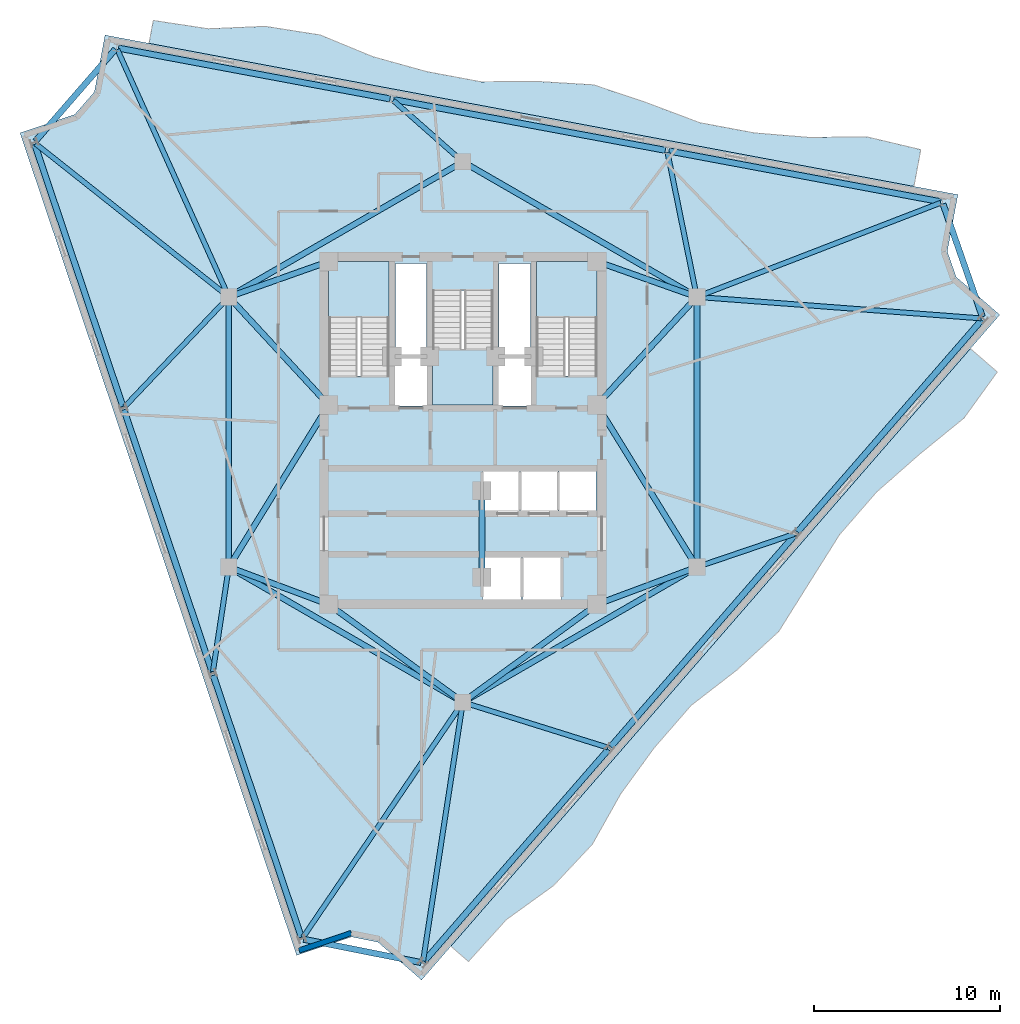
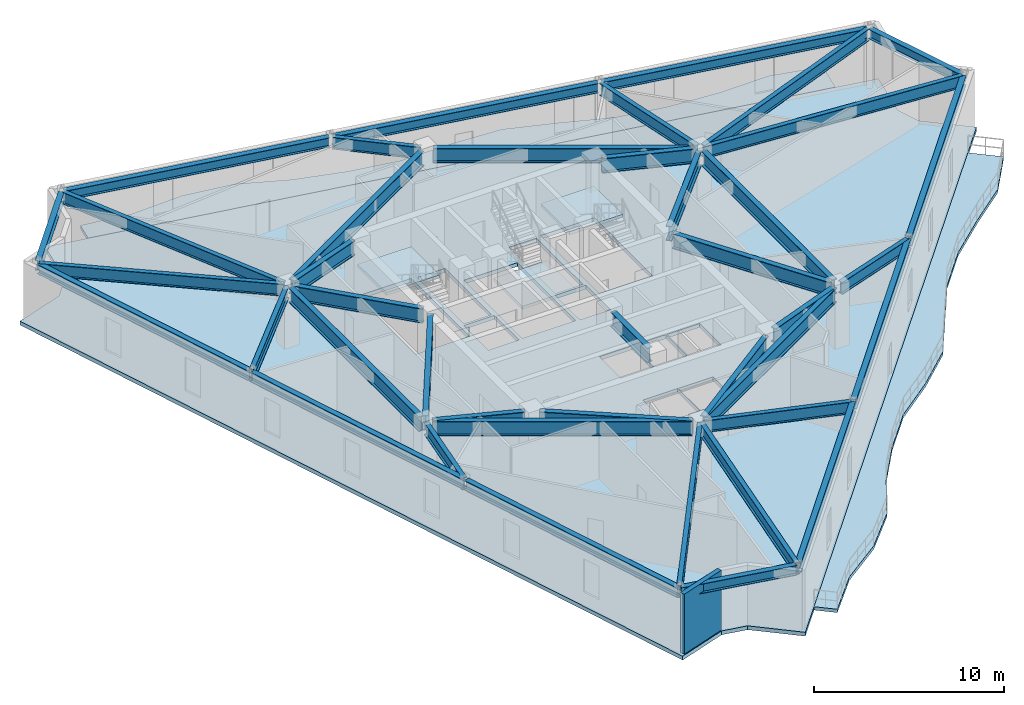
# One storey, part 3 of 10: 41 beams, 6 slabs, 1 wall, 3 elements without a shape of their own.
"""IFC4 building model written with IfcOpenShell, lengths in metres."""

from ifc_helpers import new_model, si_unit, direction, frame, frame_2d, origin, origin_2d, place, context, subcontext, project, spatial, polyline, rectangle, i_section, outline, extrude, material, layer, layer_set, material_profile, profile_set, type_object, element, aggregate, save


model = new_model("IFC4")

# Units and contexts
model_context = context("Model", 3, precision=1e-05, world=origin(), true_north=direction((0.0, 1.0)))
body_context = subcontext(model_context, "Body", "Model", "MODEL_VIEW")
ifc_project = project(units=[si_unit("LENGTHUNIT", "METRE"), si_unit("AREAUNIT", "SQUARE_METRE"), si_unit("VOLUMEUNIT", "CUBIC_METRE"), si_unit("PLANEANGLEUNIT", "RADIAN"), si_unit("MASSUNIT", "GRAM", prefix="KILO")], contexts=[model_context])

# Site, building, storey
site_placement = place(None, origin())
site = spatial("IfcSite", under=ifc_project, at=site_placement, CompositionType="ELEMENT")
building_placement = place(site_placement, origin())
building = spatial("IfcBuilding", under=site, at=building_placement, Name="Apsidion Concourse Tower", CompositionType="ELEMENT")
storey_placement = place(building_placement, frame((0.0, 0.0, 286.0)))
storey = spatial("IfcBuildingStorey", under=building, at=storey_placement, Name="L67", CompositionType="ELEMENT", Elevation=286.0)

# Beams
ifc_material_1 = material(Name="Structural steel ASTM A992 Grade 50", Category="steel")
ifc_material_profile_1 = material_profile(ifc_material_1, i_section(OverallWidth=0.31005859375, OverallDepth=0.931884765625, WebThickness=0.02099609375, FlangeThickness=0.034423828125, at=origin_2d()), Name="W36X210")
ifc_profile_set_1 = profile_set([ifc_material_profile_1], Name="Structural steel ASTM A992 Grade 50")
beam_type_1 = type_object("IfcBeamType", Name="BM-G-W36", PredefinedType="USERDEFINED", material=ifc_profile_set_1)
beam_1_placement = place(storey_placement, frame((-12.185302734375, -7.389892578125, 3.384033203125), z_axis=(0.936913021145, -0.349562570664, 0.0), x_axis=(0.349562570664, 0.936913021145, 0.0)))
element("IfcBeam", 1, at=beam_1_placement, inside=storey, type_object=beam_type_1, Name="L67 Core Coupling Girder IC1-SC1", ObjectType="GIRDER", PredefinedType="USERDEFINED", context=body_context, shape_type="SweptSolid", body=[
    extrude(i_section(OverallWidth=0.31005859375, OverallDepth=0.931884765625, WebThickness=0.02099609375, FlangeThickness=0.034423828125, at=origin_2d()), origin(), (0.0, 0.0, 1.0), 4.921142578125),
])
beam_2_placement = place(storey_placement, frame((-12.35009765625, -6.909423828125, 3.384033203125), z_axis=(0.524524009763, 0.851395656074, 0.0), x_axis=(-0.851395656074, 0.524524009763, 0.0)))
element("IfcBeam", 2, at=beam_2_placement, inside=storey, type_object=beam_type_1, Name="L67 Core Coupling Girder IC1-SC6", ObjectType="GIRDER", PredefinedType="USERDEFINED", context=body_context, shape_type="SweptSolid", body=[
    extrude(i_section(OverallWidth=0.31005859375, OverallDepth=0.931884765625, WebThickness=0.02099609375, FlangeThickness=0.034423828125, at=origin_2d()), origin(), (0.0, 0.0, 1.0), 9.41845703125),
])
beam_3_placement = place(storey_placement, frame((12.185302734375, -7.389892578125, 3.384033203125), z_axis=(-0.936913021145, -0.349562570664, 0.0), x_axis=(0.349562570664, -0.936913021145, 0.0)))
element("IfcBeam", 3, at=beam_3_placement, inside=storey, type_object=beam_type_1, Name="L67 Core Coupling Girder IC2-SC2", ObjectType="GIRDER", PredefinedType="USERDEFINED", context=body_context, shape_type="SweptSolid", body=[
    extrude(i_section(OverallWidth=0.31005859375, OverallDepth=0.931884765625, WebThickness=0.02099609375, FlangeThickness=0.034423828125, at=origin_2d()), origin(), (0.0, 0.0, 1.0), 4.921142578125),
])
beam_4_placement = place(storey_placement, frame((12.35009765625, -6.909423828125, 3.384033203125), z_axis=(-0.524524009763, 0.851395656074, 0.0), x_axis=(-0.851395656074, -0.524524009763, 0.0)))
element("IfcBeam", 4, at=beam_4_placement, inside=storey, type_object=beam_type_1, Name="L67 Core Coupling Girder IC2-SC3", ObjectType="GIRDER", PredefinedType="USERDEFINED", context=body_context, shape_type="SweptSolid", body=[
    extrude(i_section(OverallWidth=0.31005859375, OverallDepth=0.931884765625, WebThickness=0.02099609375, FlangeThickness=0.034423828125, at=origin_2d()), origin(), (0.0, 0.0, 1.0), 9.41845703125),
])
beam_5_placement = place(storey_placement, frame((12.28857421875, 6.956298828125, 3.384033203125), z_axis=(-0.678712876106, -0.73440372535, 0.0), x_axis=(0.73440372535, -0.678712876106, 0.0)))
element("IfcBeam", 5, at=beam_5_placement, inside=storey, type_object=beam_type_1, Name="L67 Core Coupling Girder IC3-SC3", ObjectType="GIRDER", PredefinedType="USERDEFINED", context=body_context, shape_type="SweptSolid", body=[
    extrude(i_section(OverallWidth=0.31005859375, OverallDepth=0.931884765625, WebThickness=0.02099609375, FlangeThickness=0.034423828125, at=origin_2d()), origin(), (0.0, 0.0, 1.0), 7.097412109375),
])
beam_6_placement = place(storey_placement, frame((12.18310546875, 7.383544921875, 3.384033203125), z_axis=(-0.942533844539, 0.334110688094, 0.0), x_axis=(-0.334110688094, -0.942533844539, 0.0)))
element("IfcBeam", 6, at=beam_6_placement, inside=storey, type_object=beam_type_1, Name="L67 Core Coupling Girder IC3-SC4", ObjectType="GIRDER", PredefinedType="USERDEFINED", context=body_context, shape_type="SweptSolid", body=[
    extrude(i_section(OverallWidth=0.31005859375, OverallDepth=0.931884765625, WebThickness=0.02099609375, FlangeThickness=0.034423828125, at=origin_2d()), origin(), (0.0, 0.0, 1.0), 4.886962890625),
])
beam_7_placement = place(storey_placement, frame((-12.28857421875, 6.956298828125, 3.384033203125), z_axis=(0.678712876106, -0.73440372535, 0.0), x_axis=(0.73440372535, 0.678712876106, 0.0)))
element("IfcBeam", 7, at=beam_7_placement, inside=storey, type_object=beam_type_1, Name="L67 Core Coupling Girder IC5-SC6", ObjectType="GIRDER", PredefinedType="USERDEFINED", context=body_context, shape_type="SweptSolid", body=[
    extrude(i_section(OverallWidth=0.31005859375, OverallDepth=0.931884765625, WebThickness=0.02099609375, FlangeThickness=0.034423828125, at=origin_2d()), origin(), (0.0, 0.0, 1.0), 7.097412109375),
])
beam_8_placement = place(storey_placement, frame((-12.18310546875, 7.383544921875, 3.384033203125), z_axis=(0.942533844539, 0.334110688094, 0.0), x_axis=(-0.334110688094, 0.942533844539, 0.0)))
element("IfcBeam", 8, at=beam_8_placement, inside=storey, type_object=beam_type_1, Name="L67 Core Coupling Girder IC5-SC5", ObjectType="GIRDER", PredefinedType="USERDEFINED", context=body_context, shape_type="SweptSolid", body=[
    extrude(i_section(OverallWidth=0.31005859375, OverallDepth=0.931884765625, WebThickness=0.02099609375, FlangeThickness=0.034423828125, at=origin_2d()), origin(), (0.0, 0.0, 1.0), 4.886962890625),
])
for number, where, z_axis, x_axis, name in (
    (9, (-0.3232421875, -14.264404296875, 3.384033203125), (-0.807993498909, 0.589191399905, 0.0), (-0.589191399905, -0.807993498909, 0.0), "L67 Core Coupling Girder IC6-SC1"),
    (10, (0.3232421875, -14.264404296875, 3.384033203125), (0.807993498909, 0.589191399905, 0.0), (-0.589191399905, 0.807993498909, 0.0), "L67 Core Coupling Girder IC6-SC2"),
):
    element("IfcBeam", number, at=place(storey_placement, frame(where, z_axis=z_axis, x_axis=x_axis)), inside=storey, type_object=beam_type_1, Name=name, ObjectType="GIRDER", PredefinedType="USERDEFINED", context=body_context, shape_type="SweptSolid", body=[
        extrude(i_section(OverallWidth=0.31005859375, OverallDepth=0.931884765625, WebThickness=0.02099609375, FlangeThickness=0.034423828125, at=origin_2d()), origin(), (0.0, 0.0, 1.0), 8.11083984375),
    ])
beam_9_placement = place(storey_placement, frame((-12.56005859375, -6.85009765625, 3.384033203125), z_axis=(0.0, 1.0, 0.0), x_axis=(-1.0, 0.0, 0.0)))
element("IfcBeam", 11, at=beam_9_placement, inside=storey, type_object=beam_type_1, Name="L67 Core Coupling Girder IC1-IC5", ObjectType="GIRDER", PredefinedType="USERDEFINED", context=body_context, shape_type="SweptSolid", body=[
    extrude(i_section(OverallWidth=0.31005859375, OverallDepth=0.931884765625, WebThickness=0.02099609375, FlangeThickness=0.034423828125, at=origin_2d()), origin(), (0.0, 0.0, 1.0), 13.7001953125),
])
for number, where, z_axis, x_axis, name in (
    (12, (-12.213623046875, 7.449951171875, 3.384033203125), (0.866070471464, 0.499921932364, 0.0), (-0.499921932364, 0.866070471464, 0.0), "L67 Core Coupling Girder IC5-IC4"),
    (13, (0.346435546875, 14.300048828125, 3.384033203125), (0.866070471464, -0.499921932364, 0.0), (0.499921932364, 0.866070471464, 0.0), "L67 Core Coupling Girder IC4-IC3"),
):
    element("IfcBeam", number, at=place(storey_placement, frame(where, z_axis=z_axis, x_axis=x_axis)), inside=storey, type_object=beam_type_1, Name=name, ObjectType="GIRDER", PredefinedType="USERDEFINED", context=body_context, shape_type="SweptSolid", body=[
        extrude(i_section(OverallWidth=0.31005859375, OverallDepth=0.931884765625, WebThickness=0.02099609375, FlangeThickness=0.034423828125, at=origin_2d()), origin(), (0.0, 0.0, 1.0), 13.702392578125),
    ])
beam_10_placement = place(storey_placement, frame((12.56005859375, 6.85009765625, 3.384033203125), z_axis=(0.0, -1.0, 0.0), x_axis=(1.0, 0.0, 0.0)))
element("IfcBeam", 14, at=beam_10_placement, inside=storey, type_object=beam_type_1, Name="L67 Core Coupling Girder IC3-IC2", ObjectType="GIRDER", PredefinedType="USERDEFINED", context=body_context, shape_type="SweptSolid", body=[
    extrude(i_section(OverallWidth=0.31005859375, OverallDepth=0.931884765625, WebThickness=0.02099609375, FlangeThickness=0.034423828125, at=origin_2d()), origin(), (0.0, 0.0, 1.0), 13.7001953125),
])
for number, where, z_axis, x_axis, name in (
    (15, (12.213623046875, -7.449951171875, 3.384033203125), (-0.866070471464, -0.499921932364, 0.0), (0.499921932364, -0.866070471464, 0.0), "L67 Core Coupling Girder IC2-IC6"),
    (16, (-0.346435546875, -14.300048828125, 3.384033203125), (-0.866070471464, 0.499921932364, 0.0), (-0.499921932364, -0.866070471464, 0.0), "L67 Core Coupling Girder IC6-IC1"),
):
    element("IfcBeam", number, at=place(storey_placement, frame(where, z_axis=z_axis, x_axis=x_axis)), inside=storey, type_object=beam_type_1, Name=name, ObjectType="GIRDER", PredefinedType="USERDEFINED", context=body_context, shape_type="SweptSolid", body=[
        extrude(i_section(OverallWidth=0.31005859375, OverallDepth=0.931884765625, WebThickness=0.02099609375, FlangeThickness=0.034423828125, at=origin_2d()), origin(), (0.0, 0.0, 1.0), 13.702392578125),
    ])
beam_11_placement = place(storey_placement, frame((1.02490234375, -3.550048828125, 3.384033203125), z_axis=(0.0, -1.0, 0.0), x_axis=(1.0, 0.0, 0.0)))
element("IfcBeam", 17, at=beam_11_placement, inside=storey, type_object=beam_type_1, Name="L67 Core Coupling Girder CC5-CC6", ObjectType="GIRDER", PredefinedType="USERDEFINED", context=body_context, shape_type="SweptSolid", body=[
    extrude(i_section(OverallWidth=0.31005859375, OverallDepth=0.931884765625, WebThickness=0.02099609375, FlangeThickness=0.034423828125, at=origin_2d()), origin(), (0.0, 0.0, 1.0), 3.849853515625),
])
ifc_material_profile_2 = material_profile(ifc_material_1, i_section(OverallWidth=0.324951171875, OverallDepth=0.616943359375, WebThickness=0.013916015625, FlangeThickness=0.021484375, at=origin_2d()), Name="W24X117")
ifc_profile_set_2 = profile_set([ifc_material_profile_2], Name="Structural steel ASTM A992 Grade 50")
beam_type_2 = type_object("IfcBeamType", Name="BM-SP-W24", PredefinedType="SPANDREL", material=ifc_profile_set_2)
for number, where, z_axis, x_axis, name in (
    (18, (-22.97265625, 15.436279296875, 3.54150390625), (0.318681523158, -0.947861850059, 0.0), (0.947861850059, 0.318681523158, 0.0), "L67 Perimeter Spandrel Girder SP-01"),
    (19, (-18.18310546875, 1.191162109375, 3.54150390625), (0.318661757859, -0.94786849514, 0.0), (0.94786849514, 0.318661757859, 0.0), "L67 Perimeter Spandrel Girder SP-02"),
    (20, (-13.393798828125, -13.05419921875, 3.54150390625), (0.318681523158, -0.947861850059, 0.0), (0.947861850059, 0.318681523158, 0.0), "L67 Perimeter Spandrel Girder SP-03"),
):
    element("IfcBeam", number, at=place(storey_placement, frame(where, z_axis=z_axis, x_axis=x_axis)), inside=storey, type_object=beam_type_2, Name=name, PredefinedType="SPANDREL", context=body_context, shape_type="SweptSolid", body=[
        extrude(i_section(OverallWidth=0.324951171875, OverallDepth=0.616943359375, WebThickness=0.013916015625, FlangeThickness=0.021484375, at=origin_2d()), origin(), (0.0, 0.0, 1.0), 14.82861328125),
    ])
beam_12_placement = place(storey_placement, frame((-8.538330078125, -27.223876953125, 3.54150390625), z_axis=(0.980920203242, -0.194410788981, 0.0), x_axis=(0.194410788981, 0.980920203242, 0.0)))
element("IfcBeam", 21, at=beam_12_placement, inside=storey, type_object=beam_type_2, Name="L67 Perimeter Spandrel Girder SP-04", PredefinedType="SPANDREL", context=body_context, shape_type="SweptSolid", body=[
    extrude(i_section(OverallWidth=0.324951171875, OverallDepth=0.616943359375, WebThickness=0.013916015625, FlangeThickness=0.021484375, at=origin_2d()), origin(), (0.0, 0.0, 1.0), 6.415771484375),
])
beam_13_placement = place(storey_placement, frame((-2.081298828125, -28.4150390625, 3.54150390625), z_axis=(0.656066832384, 0.754702796766, 0.0), x_axis=(-0.754702796766, 0.656066832384, 0.0)))
element("IfcBeam", 22, at=beam_13_placement, inside=storey, type_object=beam_type_2, Name="L67 Perimeter Spandrel Girder SP-05", PredefinedType="SPANDREL", context=body_context, shape_type="SweptSolid", body=[
    extrude(i_section(OverallWidth=0.324951171875, OverallDepth=0.616943359375, WebThickness=0.013916015625, FlangeThickness=0.021484375, at=origin_2d()), origin(), (0.0, 0.0, 1.0), 15.07373046875),
])
for number, where, z_axis, x_axis, name in (
    (23, (7.939208984375, -16.8876953125, 3.54150390625), (0.656074851848, 0.754695825332, 0.0), (-0.754695825332, 0.656074851848, 0.0), "L67 Perimeter Spandrel Girder SP-06"),
    (24, (17.959716796875, -5.360595703125, 3.54150390625), (0.656065626683, 0.754703844885, 0.0), (-0.754703844885, 0.656065626683, 0.0), "L67 Perimeter Spandrel Girder SP-07"),
):
    element("IfcBeam", number, at=place(storey_placement, frame(where, z_axis=z_axis, x_axis=x_axis)), inside=storey, type_object=beam_type_2, Name=name, PredefinedType="SPANDREL", context=body_context, shape_type="SweptSolid", body=[
        extrude(i_section(OverallWidth=0.324951171875, OverallDepth=0.616943359375, WebThickness=0.013916015625, FlangeThickness=0.021484375, at=origin_2d()), origin(), (0.0, 0.0, 1.0), 15.073486328125),
    ])
beam_14_placement = place(storey_placement, frame((27.881591796875, 6.185302734375, 3.54150390625), z_axis=(-0.328995813691, 0.944331379641, 0.0), x_axis=(-0.944331379641, -0.328995813691, 0.0)))
element("IfcBeam", 25, at=beam_14_placement, inside=storey, type_object=beam_type_2, Name="L67 Perimeter Spandrel Girder SP-08", PredefinedType="SPANDREL", context=body_context, shape_type="SweptSolid", body=[
    extrude(i_section(OverallWidth=0.324951171875, OverallDepth=0.616943359375, WebThickness=0.013916015625, FlangeThickness=0.021484375, at=origin_2d()), origin(), (0.0, 0.0, 1.0), 6.416015625),
])
beam_15_placement = place(storey_placement, frame((25.639404296875, 12.35693359375, 3.54150390625), z_axis=(-0.982990339522, 0.183657268861, 0.0), x_axis=(-0.183657268861, -0.982990339522, 0.0)))
element("IfcBeam", 26, at=beam_15_placement, inside=storey, type_object=beam_type_2, Name="L67 Perimeter Spandrel Girder SP-09", PredefinedType="SPANDREL", context=body_context, shape_type="SweptSolid", body=[
    extrude(i_section(OverallWidth=0.324951171875, OverallDepth=0.616943359375, WebThickness=0.013916015625, FlangeThickness=0.021484375, at=origin_2d()), origin(), (0.0, 0.0, 1.0), 14.82861328125),
])
for number, where, z_axis, x_axis, name in (
    (27, (10.866455078125, 15.1171875, 3.54150390625), (-0.982990894844, 0.183654296586, 0.0), (-0.183654296586, -0.982990894844, 0.0), "L67 Perimeter Spandrel Girder SP-10"),
    (28, (-3.90673828125, 17.877197265625, 3.54150390625), (-0.982990894844, 0.183654296586, 0.0), (-0.183654296586, -0.982990894844, 0.0), "L67 Perimeter Spandrel Girder SP-11"),
):
    element("IfcBeam", number, at=place(storey_placement, frame(where, z_axis=z_axis, x_axis=x_axis)), inside=storey, type_object=beam_type_2, Name=name, PredefinedType="SPANDREL", context=body_context, shape_type="SweptSolid", body=[
        extrude(i_section(OverallWidth=0.324951171875, OverallDepth=0.616943359375, WebThickness=0.013916015625, FlangeThickness=0.021484375, at=origin_2d()), origin(), (0.0, 0.0, 1.0), 14.828857421875),
    ])
beam_16_placement = place(storey_placement, frame((-18.647216796875, 20.543701171875, 3.54150390625), z_axis=(-0.656065057343, -0.754704339814, 0.0), x_axis=(0.754704339814, -0.656065057343, 0.0)))
element("IfcBeam", 29, at=beam_16_placement, inside=storey, type_object=beam_type_2, Name="L67 Perimeter Spandrel Girder SP-12", PredefinedType="SPANDREL", context=body_context, shape_type="SweptSolid", body=[
    extrude(i_section(OverallWidth=0.324951171875, OverallDepth=0.616943359375, WebThickness=0.013916015625, FlangeThickness=0.021484375, at=origin_2d()), origin(), (0.0, 0.0, 1.0), 6.541748046875),
])
ifc_material_profile_3 = material_profile(ifc_material_1, i_section(OverallWidth=0.26806640625, OverallDepth=0.77001953125, WebThickness=0.015625, FlangeThickness=0.025390625, at=origin_2d()), Name="W30X132")
ifc_profile_set_3 = profile_set([ifc_material_profile_3], Name="Structural steel ASTM A992 Grade 50")
beam_type_3 = type_object("IfcBeamType", Name="BM-SP-W30", PredefinedType="SPANDREL", material=ifc_profile_set_3)
beam_17_placement = place(storey_placement, frame((-12.732421875, 7.38671875, 3.465087890625), z_axis=(-0.783584000329, 0.621285855648, 0.0), x_axis=(-0.621285855648, -0.783584000329, 0.0)))
element("IfcBeam", 30, at=beam_17_placement, inside=storey, type_object=beam_type_3, Name="L67 Radial Floor Girder RAD-01", PredefinedType="SPANDREL", context=body_context, shape_type="SweptSolid", body=[
    extrude(i_section(OverallWidth=0.26806640625, OverallDepth=0.77001953125, WebThickness=0.015625, FlangeThickness=0.025390625, at=origin_2d()), origin(), (0.0, 0.0, 1.0), 13.009033203125),
])
beam_18_placement = place(storey_placement, frame((-12.71142578125, 7.09033203125, 3.465087890625), z_axis=(-0.688064364837, -0.72564966054, 0.0), x_axis=(0.72564966054, -0.688064364837, 0.0)))
element("IfcBeam", 31, at=beam_18_placement, inside=storey, type_object=beam_type_3, Name="L67 Radial Floor Girder RAD-02", PredefinedType="SPANDREL", context=body_context, shape_type="SweptSolid", body=[
    extrude(i_section(OverallWidth=0.26806640625, OverallDepth=0.77001953125, WebThickness=0.015625, FlangeThickness=0.025390625, at=origin_2d()), origin(), (0.0, 0.0, 1.0), 7.898681640625),
])
beam_19_placement = place(storey_placement, frame((-12.593017578125, -7.467529296875, 3.465087890625), z_axis=(-0.149944598724, -0.988694400365, 0.0), x_axis=(0.988694400365, -0.149944598724, 0.0)))
element("IfcBeam", 32, at=beam_19_placement, inside=storey, type_object=beam_type_3, Name="L67 Radial Floor Girder RAD-03", PredefinedType="SPANDREL", context=body_context, shape_type="SweptSolid", body=[
    extrude(i_section(OverallWidth=0.26806640625, OverallDepth=0.77001953125, WebThickness=0.015625, FlangeThickness=0.025390625, at=origin_2d()), origin(), (0.0, 0.0, 1.0), 5.45458984375),
])
beam_20_placement = place(storey_placement, frame((-0.123779296875, -14.681884765625, 3.465087890625), z_axis=(-0.56217993865, -0.827014943383, 0.0), x_axis=(0.827014943383, -0.56217993865, 0.0)))
element("IfcBeam", 33, at=beam_20_placement, inside=storey, type_object=beam_type_3, Name="L67 Radial Floor Girder RAD-04", PredefinedType="SPANDREL", context=body_context, shape_type="SweptSolid", body=[
    extrude(i_section(OverallWidth=0.26806640625, OverallDepth=0.77001953125, WebThickness=0.015625, FlangeThickness=0.025390625, at=origin_2d()), origin(), (0.0, 0.0, 1.0), 15.0419921875),
])
beam_21_placement = place(storey_placement, frame((-0.033447265625, -14.717529296875, 3.465087890625), z_axis=(-0.151664637663, -0.988432009641, 0.0), x_axis=(0.988432009641, -0.151664637663, 0.0)))
element("IfcBeam", 34, at=beam_21_placement, inside=storey, type_object=beam_type_3, Name="L67 Radial Floor Girder RAD-05", PredefinedType="SPANDREL", context=body_context, shape_type="SweptSolid", body=[
    extrude(i_section(OverallWidth=0.26806640625, OverallDepth=0.77001953125, WebThickness=0.015625, FlangeThickness=0.025390625, at=origin_2d()), origin(), (0.0, 0.0, 1.0), 13.833984375),
])
beam_22_placement = place(storey_placement, frame((0.2099609375, -14.565673828125, 3.465087890625), z_axis=(0.954387901166, -0.298569479532, 0.0), x_axis=(0.298569479532, 0.954387901166, 0.0)))
element("IfcBeam", 35, at=beam_22_placement, inside=storey, type_object=beam_type_3, Name="L67 Radial Floor Girder RAD-06", PredefinedType="SPANDREL", context=body_context, shape_type="SweptSolid", body=[
    extrude(i_section(OverallWidth=0.26806640625, OverallDepth=0.77001953125, WebThickness=0.015625, FlangeThickness=0.025390625, at=origin_2d()), origin(), (0.0, 0.0, 1.0), 7.93017578125),
])
beam_23_placement = place(storey_placement, frame((12.768310546875, -7.17919921875, 3.465087890625), z_axis=(0.946764063089, 0.321928266612, 0.0), x_axis=(-0.321928266612, 0.946764063089, 0.0)))
element("IfcBeam", 36, at=beam_23_placement, inside=storey, type_object=beam_type_3, Name="L67 Radial Floor Girder RAD-07", PredefinedType="SPANDREL", context=body_context, shape_type="SweptSolid", body=[
    extrude(i_section(OverallWidth=0.26806640625, OverallDepth=0.77001953125, WebThickness=0.015625, FlangeThickness=0.025390625, at=origin_2d()), origin(), (0.0, 0.0, 1.0), 5.31396484375),
])
beam_24_placement = place(storey_placement, frame((12.779296875, 7.2333984375, 3.465087890625), z_axis=(0.997162813541, -0.075274984495, 0.0), x_axis=(0.075274984495, 0.997162813541, 0.0)))
element("IfcBeam", 37, at=beam_24_placement, inside=storey, type_object=beam_type_3, Name="L67 Radial Floor Girder RAD-08", PredefinedType="SPANDREL", context=body_context, shape_type="SweptSolid", body=[
    extrude(i_section(OverallWidth=0.26806640625, OverallDepth=0.77001953125, WebThickness=0.015625, FlangeThickness=0.025390625, at=origin_2d()), origin(), (0.0, 0.0, 1.0), 15.078125),
])
beam_25_placement = place(storey_placement, frame((12.76513671875, 7.3291015625, 3.465087890625), z_axis=(0.932864861943, 0.360226525053, 0.0), x_axis=(-0.360226525053, 0.932864861943, 0.0)))
element("IfcBeam", 38, at=beam_25_placement, inside=storey, type_object=beam_type_3, Name="L67 Radial Floor Girder RAD-09", PredefinedType="SPANDREL", context=body_context, shape_type="SweptSolid", body=[
    extrude(i_section(OverallWidth=0.26806640625, OverallDepth=0.77001953125, WebThickness=0.015625, FlangeThickness=0.025390625, at=origin_2d()), origin(), (0.0, 0.0, 1.0), 13.806396484375),
])
beam_26_placement = place(storey_placement, frame((12.51611328125, 7.465576171875, 3.465087890625), z_axis=(-0.199174271345, 0.97996408589, 0.0), x_axis=(-0.97996408589, -0.199174271345, 0.0)))
element("IfcBeam", 39, at=beam_26_placement, inside=storey, type_object=beam_type_3, Name="L67 Radial Floor Girder RAD-10", PredefinedType="SPANDREL", context=body_context, shape_type="SweptSolid", body=[
    extrude(i_section(OverallWidth=0.26806640625, OverallDepth=0.77001953125, WebThickness=0.015625, FlangeThickness=0.025390625, at=origin_2d()), origin(), (0.0, 0.0, 1.0), 7.689208984375),
])
beam_27_placement = place(storey_placement, frame((-0.1650390625, 14.6455078125, 3.465087890625), z_axis=(-0.749977100091, 0.661463792917, 0.0), x_axis=(-0.661463792917, -0.749977100091, 0.0)))
element("IfcBeam", 40, at=beam_27_placement, inside=storey, type_object=beam_type_3, Name="L67 Radial Floor Girder RAD-11", PredefinedType="SPANDREL", context=body_context, shape_type="SweptSolid", body=[
    extrude(i_section(OverallWidth=0.26806640625, OverallDepth=0.77001953125, WebThickness=0.015625, FlangeThickness=0.025390625, at=origin_2d()), origin(), (0.0, 0.0, 1.0), 4.758056640625),
])
beam_28_placement = place(storey_placement, frame((-12.650390625, 7.45068359375, 3.465087890625), z_axis=(-0.410678909967, 0.911780035375, 0.0), x_axis=(-0.911780035375, -0.410678909967, 0.0)))
element("IfcBeam", 41, at=beam_28_placement, inside=storey, type_object=beam_type_3, Name="L67 Radial Floor Girder RAD-12", PredefinedType="SPANDREL", context=body_context, shape_type="SweptSolid", body=[
    extrude(i_section(OverallWidth=0.26806640625, OverallDepth=0.77001953125, WebThickness=0.015625, FlangeThickness=0.025390625, at=origin_2d()), origin(), (0.0, 0.0, 1.0), 14.342529296875),
])

# Slabs
ifc_material_2 = material(Name="Concrete C50/60", Category="concrete")
ifc_layer_1 = layer(ifc_material_2, 0.219970703125)
ifc_layer_set_1 = layer_set([ifc_layer_1], Name="Concrete C50/60")
slab_type_1 = type_object("IfcSlabType", Name="SL-BAL-220", PredefinedType="FLOOR", material=ifc_layer_set_1)
slab_1_placement = place(storey_placement, frame((0.0, 0.0, -0.219970703125)))
element("IfcSlab", 42, at=slab_1_placement, inside=storey, type_object=slab_type_1, Name="L67 Face 2 Rippling Balcony Slab", PredefinedType="FLOOR", context=body_context, shape_type="SweptSolid", body=[
    extrude(outline(polyline([(-0.6416015625, -27.59716796875), (1.35009765625, -25.30615234375), (3.341552734375, -23.01513671875), (5.3330078125, -20.724365234375), (7.324462890625, -18.433349609375), (9.31591796875, -16.142333984375), (11.307373046875, -13.8515625), (13.298828125, -11.560546875), (15.290283203125, -9.26953125), (17.281982421875, -6.978759765625), (19.273193359375, -4.687744140625), (21.264892578125, -2.396728515625), (23.25634765625, -0.10595703125), (25.247802734375, 2.18505859375), (27.2392578125, 4.47607421875), (28.681884765625, 3.2216796875), (26.897216796875, 0.751220703125), (24.5078125, -1.19384765625), (22.208251953125, -3.216796875), (20.216796875, -5.5078125), (18.581298828125, -8.108154296875), (16.94775390625, -10.710205078125), (14.69970703125, -12.7783203125), (12.250732421875, -14.671630859375), (10.25927734375, -16.96240234375), (8.466796875, -19.426513671875), (6.94775390625, -22.1279296875), (4.86767578125, -24.341796875), (2.33837890625, -26.165283203125), (0.302001953125, -28.417236328125), (-0.6416015625, -27.59716796875)])), origin(), (0.0, 0.0, 1.0), 0.219970703125),
])
slab_2_placement = place(storey_placement, frame((0.0, 0.0, -0.219970703125)))
element("IfcSlab", 43, at=slab_2_placement, inside=storey, type_object=slab_type_1, Name="L67 Face 3 Rippling Balcony Slab", PredefinedType="FLOOR", context=body_context, shape_type="SweptSolid", body=[
    extrude(outline(polyline([(24.208251953125, 13.178955078125), (21.276123046875, 13.7275390625), (18.343994140625, 14.27587890625), (15.41162109375, 14.824462890625), (12.4794921875, 15.373046875), (9.54736328125, 15.921630859375), (6.615234375, 16.47021484375), (3.68310546875, 17.018798828125), (0.750732421875, 17.567138671875), (-2.181396484375, 18.11572265625), (-5.113525390625, 18.664306640625), (-8.045654296875, 19.212890625), (-10.977783203125, 19.761474609375), (-13.91015625, 20.309814453125), (-16.84228515625, 20.8583984375), (-16.6123046875, 22.087158203125), (-13.660888671875, 21.64111328125), (-10.601806640625, 21.771484375), (-7.65380859375, 21.30712890625), (-4.83642578125, 20.1455078125), (-1.951416015625, 19.344482421875), (0.980712890625, 18.7958984375), (4.018798828125, 18.81396484375), (7.01953125, 18.632080078125), (9.87451171875, 17.669921875), (12.70947265625, 16.601806640625), (15.6416015625, 16.05322265625), (18.630615234375, 15.80810546875), (21.671875, 15.843017578125), (24.577880859375, 15.154296875), (24.208251953125, 13.178955078125)])), origin(), (0.0, 0.0, 1.0), 0.219970703125),
])
ifc_layer_2 = layer(ifc_material_2, 0.25)
ifc_layer_set_2 = layer_set([ifc_layer_2], Name="Concrete C50/60")
slab_type_2 = type_object("IfcSlabType", Name="SL-FLR-250", PredefinedType="FLOOR", material=ifc_layer_set_2)
slab_3_placement = place(storey_placement, frame((0.0, 0.0, -0.25)))
element("IfcSlab", 44, at=slab_3_placement, inside=storey, type_object=slab_type_2, Name="L67 Structural Floor Slab", PredefinedType="FLOOR", context=body_context, shape_type="SweptSolid", body=[
    extrude(outline(polyline([(-19.201416015625, 21.2998046875), (-19.771484375, 18.251220703125), (-20.825439453125, 17.0390625), (-23.764892578125, 16.050048828125), (-8.916015625, -28.08154296875), (-5.976806640625, -27.092529296875), (-4.556640625, -27.373779296875), (-2.216064453125, -29.408447265625), (28.813720703125, 6.287353515625), (26.47314453125, 8.322021484375), (25.9970703125, 9.689208984375), (26.5673828125, 12.737548828125), (-19.201416015625, 21.2998046875)]), holes=[polyline([(-3.949951171875, 3.0), (-3.949951171875, 9.14990234375), (-7.199951171875, 9.14990234375), (-7.199951171875, 3.0), (-3.949951171875, 3.0)]), polyline([(7.199951171875, 3.0), (7.199951171875, 9.14990234375), (3.949951171875, 9.14990234375), (3.949951171875, 3.0), (7.199951171875, 3.0)]), polyline([(-1.625, 7.60009765625), (-1.625, 1.449951171875), (1.625, 1.449951171875), (1.625, 7.60009765625), (-1.625, 7.60009765625)]), polyline([(1.054931640625, -4.300048828125), (3.044921875, -4.300048828125), (3.044921875, -2.050048828125), (1.054931640625, -2.050048828125), (1.054931640625, -4.300048828125)]), polyline([(3.10498046875, -4.300048828125), (5.094970703125, -4.300048828125), (5.094970703125, -2.050048828125), (3.10498046875, -2.050048828125), (3.10498046875, -4.300048828125)]), polyline([(5.155029296875, -4.300048828125), (7.14501953125, -4.300048828125), (7.14501953125, -2.050048828125), (5.155029296875, -2.050048828125), (5.155029296875, -4.300048828125)]), polyline([(1.044921875, -9.0), (3.155029296875, -9.0), (3.155029296875, -6.64990234375), (1.044921875, -6.64990234375), (1.044921875, -9.0)]), polyline([(3.195068359375, -9.0), (5.304931640625, -9.0), (5.304931640625, -6.64990234375), (3.195068359375, -6.64990234375), (3.195068359375, -9.0)]), polyline([(-3.7099609375, 1.39990234375), (-1.85009765625, 1.39990234375), (-1.85009765625, 4.0), (-3.7099609375, 4.0), (-3.7099609375, 1.39990234375)]), polyline([(1.85009765625, 1.39990234375), (3.7099609375, 1.39990234375), (3.7099609375, 4.0), (1.85009765625, 4.0), (1.85009765625, 1.39990234375)]), polyline([(-3.6201171875, 4.14990234375), (-1.93994140625, 4.14990234375), (-1.93994140625, 9.050048828125), (-3.6201171875, 9.050048828125), (-3.6201171875, 4.14990234375)]), polyline([(1.93994140625, 4.14990234375), (3.6201171875, 4.14990234375), (3.6201171875, 9.050048828125), (1.93994140625, 9.050048828125), (1.93994140625, 4.14990234375)])]), origin(), (0.0, 0.0, 1.0), 0.25),
])

# Stair, slab
ifc_material_3 = material(Name="Precast concrete C40/50", Category="concrete")
stair_type = type_object("IfcStairType", Name="ST-DL-1550", PredefinedType="HALF_TURN_STAIR", material=ifc_material_3)
stair_1_placement = place(storey_placement, origin())
stair_1 = element("IfcStair", 45, at=stair_1_placement, inside=storey, type_object=stair_type, Name="L67 Protected Core Exit Stair ST1", PredefinedType="HALF_TURN_STAIR")
ifc_layer_3 = layer(ifc_material_2, 0.199951171875)
ifc_layer_set_3 = layer_set([ifc_layer_3], Name="Concrete C50/60")
slab_type_3 = type_object("IfcSlabType", Name="SL-ST-LAND-200", PredefinedType="LANDING", material=ifc_layer_set_3)
slab_4_placement = place(storey_placement, frame((0.0, 0.0, 1.85009765625)))
slab_4 = element("IfcSlab", 46, at=slab_4_placement, type_object=slab_type_3, Name="ST1 landing 1", PredefinedType="LANDING", context=body_context, shape_type="SweptSolid", body=[
    extrude(outline(polyline([(-3.949951171875, 6.135009765625), (-3.949951171875, 9.14990234375), (-7.199951171875, 9.14990234375), (-7.199951171875, 6.135009765625), (-3.949951171875, 6.135009765625)])), origin(), (0.0, 0.0, 1.0), 0.199951171875),
])
aggregate(stair_1, [slab_4])

stair_2_placement = place(storey_placement, origin())
stair_2 = element("IfcStair", 47, at=stair_2_placement, inside=storey, type_object=stair_type, Name="L67 Protected Core Exit Stair ST2", PredefinedType="HALF_TURN_STAIR")
slab_5_placement = place(storey_placement, frame((0.0, 0.0, 1.85009765625)))
slab_5 = element("IfcSlab", 48, at=slab_5_placement, type_object=slab_type_3, Name="ST2 landing 1", PredefinedType="LANDING", context=body_context, shape_type="SweptSolid", body=[
    extrude(outline(polyline([(7.199951171875, 6.135009765625), (7.199951171875, 9.14990234375), (3.949951171875, 9.14990234375), (3.949951171875, 6.135009765625), (7.199951171875, 6.135009765625)])), origin(), (0.0, 0.0, 1.0), 0.199951171875),
])
aggregate(stair_2, [slab_5])

stair_3_placement = place(storey_placement, origin())
stair_3 = element("IfcStair", 49, at=stair_3_placement, inside=storey, type_object=stair_type, Name="L67 Protected Core Exit Stair ST3", PredefinedType="HALF_TURN_STAIR")
slab_6_placement = place(storey_placement, frame((0.0, 0.0, 1.85009765625)))
slab_6 = element("IfcSlab", 50, at=slab_6_placement, type_object=slab_type_3, Name="ST3 landing 1", PredefinedType="LANDING", context=body_context, shape_type="SweptSolid", body=[
    extrude(outline(polyline([(-1.625, 4.465087890625), (-1.625, 1.449951171875), (1.625, 1.449951171875), (1.625, 4.465087890625), (-1.625, 4.465087890625)])), origin(), (0.0, 0.0, 1.0), 0.199951171875),
])
aggregate(stair_3, [slab_6])

# Wall
ifc_layer_4 = layer(ifc_material_3, 0.280029296875)
ifc_layer_set_4 = layer_set([ifc_layer_4], Name="Precast concrete C40/50")
wall_type = type_object("IfcWallType", Name="WL-EXT-280", PredefinedType="STANDARD", material=ifc_layer_set_4)
wall_placement = place(storey_placement, frame((-5.989990234375, -26.885986328125, 0.0), z_axis=(0.0, 0.0, 1.0), x_axis=(-0.947795421507, -0.318879035013, 0.0)))
element("IfcWall", 51, at=wall_placement, inside=storey, type_object=wall_type, Name="L67 Precast Stone Facade Wall 08", PredefinedType="STANDARD", context=body_context, shape_type="SweptSolid", body=[
    extrude(rectangle(XDim=2.95458984375, YDim=0.280029296875, at=frame_2d((1.477294921875, 0.0))), origin(), (0.0, 0.0, 1.0), 3.85009765625),
])

save(model, "model.ifc")
